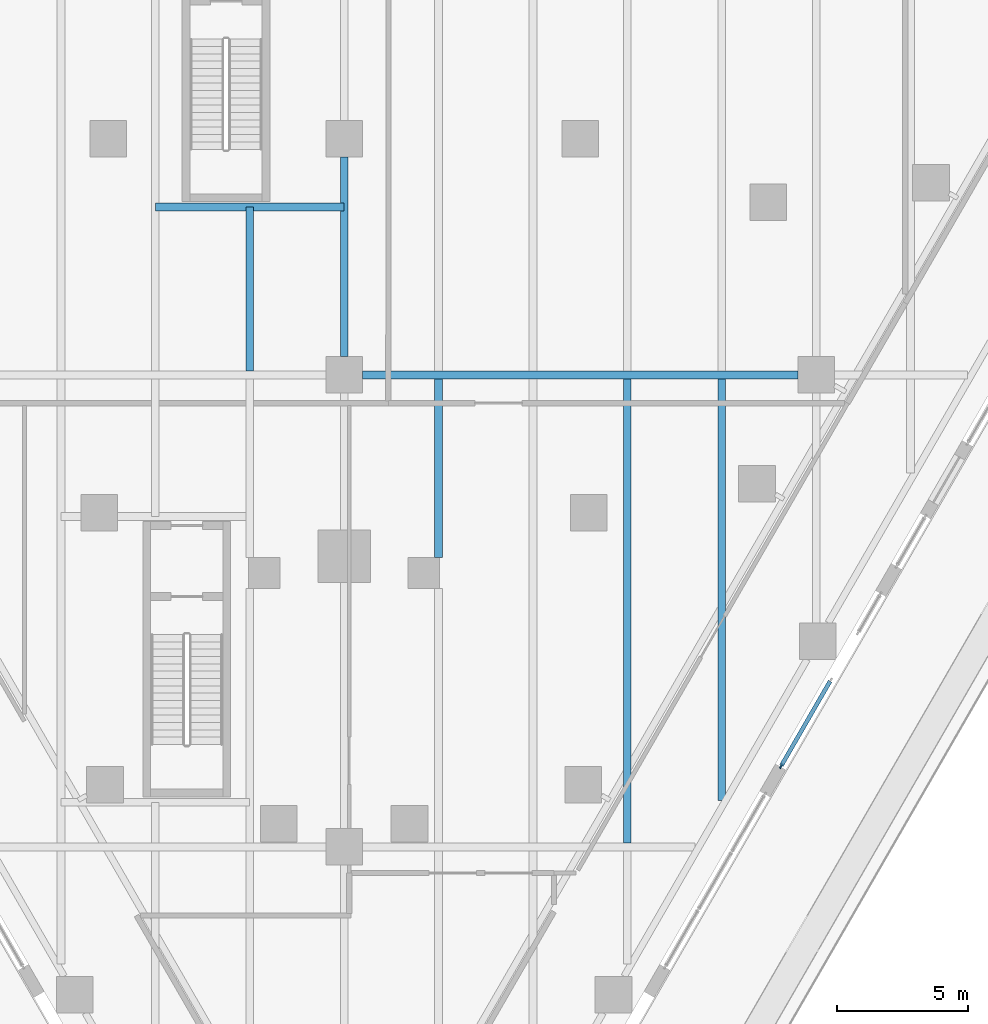
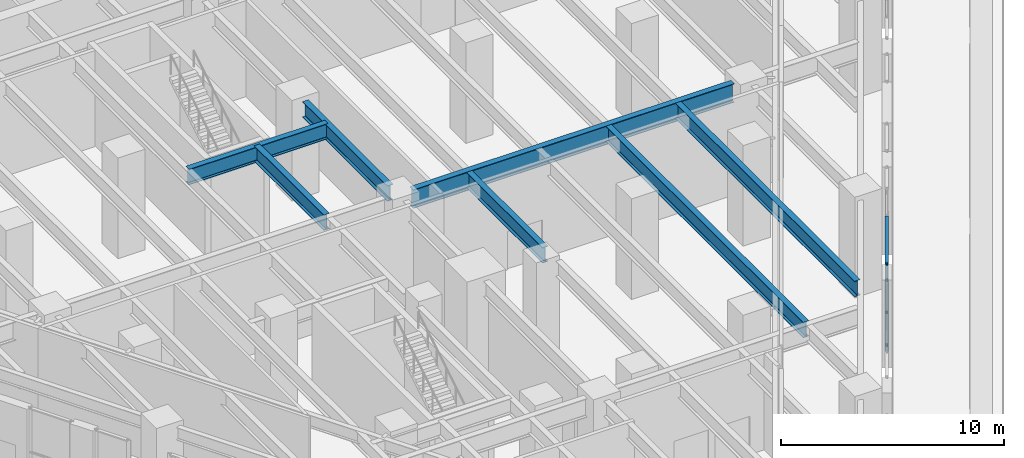
# One storey, part 6 of 30: 7 beams, 4 members, 1 element without a shape of its own.
"""IFC4 building model written with IfcOpenShell, lengths in metres."""

from ifc_helpers import new_model, si_unit, direction, frame, origin, origin_2d, place, context, subcontext, project, spatial, rectangle, i_section, extrude, material, material_profile, profile_set, type_object, element, aggregate, save


model = new_model("IFC4")

# Units and contexts
model_context = context("Model", 3, precision=1e-05, world=origin(), true_north=direction((0.0, 1.0)))
body_context = subcontext(model_context, "Body", "Model", "MODEL_VIEW")
ifc_project = project(units=[si_unit("LENGTHUNIT", "METRE"), si_unit("AREAUNIT", "SQUARE_METRE"), si_unit("VOLUMEUNIT", "CUBIC_METRE"), si_unit("PLANEANGLEUNIT", "RADIAN"), si_unit("MASSUNIT", "GRAM", prefix="KILO")], contexts=[model_context])

# Site, building, storey
site_placement = place(None, origin())
site = spatial("IfcSite", under=ifc_project, at=site_placement, CompositionType="ELEMENT")
building_placement = place(site_placement, origin())
building = spatial("IfcBuilding", under=site, at=building_placement, Name="Aloe Facet Convention Tower", CompositionType="ELEMENT")
storey_placement = place(building_placement, frame((0.0, 0.0, 19.5)))
storey = spatial("IfcBuildingStorey", under=building, at=storey_placement, Name="L03", CompositionType="ELEMENT", Elevation=19.5)

# Curtain wall, members
ifc_material_1 = material(Name="Aluminium, anodised", Category="aluminium")
curtain_wall_type = type_object("IfcCurtainWallType", Name="EV-CW-HALL", PredefinedType="USERDEFINED", material=ifc_material_1)
curtain_wall_placement = place(storey_placement, origin())
curtain_wall = element("IfcCurtainWall", 1, at=curtain_wall_placement, inside=storey, type_object=curtain_wall_type, Name="CW-L03-E08-1", ObjectType="UNITISED HALL GLAZING", PredefinedType="USERDEFINED")
ifc_material_2 = material(Name="Aluminium, anodised", Category="aluminium")
ifc_material_profile_1 = material_profile(ifc_material_2, rectangle(XDim=0.06494140625, YDim=0.199951171875, at=origin_2d()), Name="AL 65x200")
ifc_profile_set_1 = profile_set([ifc_material_profile_1], Name="Aluminium, anodised")
member_type_1 = type_object("IfcMemberType", Name="EV-MULL-HALL", PredefinedType="MULLION", material=ifc_profile_set_1)
member_1_placement = place(storey_placement, frame((96.66162109375, 84.0791015625, -0.25), z_axis=(0.0, 0.0, 1.0), x_axis=(-0.866025403767, 0.50000000003, 0.0)))
member_1 = element("IfcMember", 2, at=member_1_placement, type_object=member_type_1, Name="CW-L03-E08-1 mullion 1", PredefinedType="MULLION", context=body_context, shape_type="SweptSolid", body=[
    extrude(rectangle(XDim=0.06494140625, YDim=0.199951171875, at=origin_2d()), origin(), (0.0, 0.0, 1.0), 4.8125),
])
ifc_material_3 = material(Name="Aluminium, anodised", Category="aluminium")
ifc_material_profile_2 = material_profile(ifc_material_3, rectangle(XDim=0.159912109375, YDim=0.06494140625, at=origin_2d()), Name="AL 160x65")
ifc_profile_set_2 = profile_set([ifc_material_profile_2], Name="Aluminium, anodised")
member_type_2 = type_object("IfcMemberType", Name="EV-TRAN-HALL", PredefinedType="USERDEFINED", material=ifc_profile_set_2)
member_2_placement = place(storey_placement, frame((96.677734375, 84.107421875, -0.217529296875), z_axis=(0.500024932513, 0.866011008513, 0.0), x_axis=(-0.866011008513, 0.500024932513, 0.0)))
member_2 = element("IfcMember", 3, at=member_2_placement, type_object=member_type_2, Name="CW-L03-E08-1 transom 1.1", ObjectType="TRANSOM", PredefinedType="USERDEFINED", context=body_context, shape_type="SweptSolid", body=[
    extrude(rectangle(XDim=0.159912109375, YDim=0.06494140625, at=origin_2d()), origin(), (0.0, 0.0, 1.0), 3.702880859375),
])
member_3_placement = place(storey_placement, frame((96.677734375, 84.107421875, 2.15625), z_axis=(0.500024932513, 0.866011008513, 0.0), x_axis=(-0.866011008513, 0.500024932513, 0.0)))
member_3 = element("IfcMember", 4, at=member_3_placement, type_object=member_type_2, Name="CW-L03-E08-1 transom 1.2", ObjectType="TRANSOM", PredefinedType="USERDEFINED", context=body_context, shape_type="SweptSolid", body=[
    extrude(rectangle(XDim=0.159912109375, YDim=0.06494140625, at=origin_2d()), origin(), (0.0, 0.0, 1.0), 3.702880859375),
])
member_4_placement = place(storey_placement, frame((96.677734375, 84.107421875, 4.530029296875), z_axis=(0.500024932513, 0.866011008513, 0.0), x_axis=(-0.866011008513, 0.500024932513, 0.0)))
member_4 = element("IfcMember", 5, at=member_4_placement, type_object=member_type_2, Name="CW-L03-E08-1 transom 1.3", ObjectType="TRANSOM", PredefinedType="USERDEFINED", context=body_context, shape_type="SweptSolid", body=[
    extrude(rectangle(XDim=0.159912109375, YDim=0.06494140625, at=origin_2d()), origin(), (0.0, 0.0, 1.0), 3.702880859375),
])
aggregate(curtain_wall, [member_1, member_2, member_3, member_4])

# Beams
ifc_material_4 = material(Name="Steel S355", Category="steel")
ifc_material_profile_3 = material_profile(ifc_material_4, i_section(OverallWidth=0.305419921875, OverallDepth=1.02587890625, WebThickness=0.02001953125, FlangeThickness=0.031005859375, FilletRadius=0.030029296875, at=origin_2d()), Name="UB 1016x305x349")
ifc_profile_set_3 = profile_set([ifc_material_profile_3], Name="Steel S355")
beam_type_1 = type_object("IfcBeamType", Name="SF-B-UB1016x305x349", PredefinedType="BEAM", material=ifc_profile_set_3)
beam_1_placement = place(storey_placement, frame((80.699951171875, 99.0, 4.737060546875), z_axis=(1.0, 0.0, 0.0), x_axis=(0.0, 1.0, 0.0)))
element("IfcBeam", 6, at=beam_1_placement, inside=storey, type_object=beam_type_1, Name="Floor beam FB-L04-030", PredefinedType="BEAM", context=body_context, shape_type="SweptSolid", body=[
    extrude(i_section(OverallWidth=0.305419921875, OverallDepth=1.02587890625, WebThickness=0.02001953125, FlangeThickness=0.031005859375, FilletRadius=0.030029296875, at=origin_2d()), origin(), (0.0, 0.0, 1.0), 16.60009765625),
])
ifc_material_5 = material(Name="Steel S355", Category="steel")
ifc_material_profile_4 = material_profile(ifc_material_5, i_section(OverallWidth=0.293701171875, OverallDepth=0.850830078125, WebThickness=0.01611328125, FlangeThickness=0.02685546875, FilletRadius=0.017822265625, at=origin_2d()), Name="UB 838x292x226")
ifc_profile_set_4 = profile_set([ifc_material_profile_4], Name="Steel S355")
beam_type_2 = type_object("IfcBeamType", Name="SF-B-UB838x292x226", PredefinedType="BEAM", material=ifc_profile_set_4)
beam_2_placement = place(storey_placement, frame((72.800048828125, 105.39990234375, 4.824462890625), z_axis=(1.0, 0.0, 0.0), x_axis=(0.0, 1.0, 0.0)))
element("IfcBeam", 7, at=beam_2_placement, inside=storey, type_object=beam_type_2, Name="Floor beam FB-L04-063", PredefinedType="BEAM", context=body_context, shape_type="SweptSolid", body=[
    extrude(i_section(OverallWidth=0.293701171875, OverallDepth=0.850830078125, WebThickness=0.01611328125, FlangeThickness=0.02685546875, FilletRadius=0.017822265625, at=origin_2d()), origin(), (0.0, 0.0, 1.0), 7.199951171875),
])
beam_3_placement = place(storey_placement, frame((76.39990234375, 99.152587890625, 4.824462890625), z_axis=(0.0, 1.0, 0.0), x_axis=(-1.0, 0.0, 0.0)))
element("IfcBeam", 8, at=beam_3_placement, inside=storey, type_object=beam_type_2, Name="Floor beam FB-L04-068", PredefinedType="BEAM", context=body_context, shape_type="SweptSolid", body=[
    extrude(i_section(OverallWidth=0.293701171875, OverallDepth=0.850830078125, WebThickness=0.01611328125, FlangeThickness=0.02685546875, FilletRadius=0.017822265625, at=origin_2d()), origin(), (0.0, 0.0, 1.0), 6.247314453125),
])
beam_4_placement = place(storey_placement, frame((80.0, 99.699951171875, 4.824462890625), z_axis=(0.0, 1.0, 0.0), x_axis=(-1.0, 0.0, 0.0)))
element("IfcBeam", 9, at=beam_4_placement, inside=storey, type_object=beam_type_2, Name="Floor beam FB-L04-072", PredefinedType="BEAM", context=body_context, shape_type="SweptSolid", body=[
    extrude(i_section(OverallWidth=0.293701171875, OverallDepth=0.850830078125, WebThickness=0.01611328125, FlangeThickness=0.02685546875, FilletRadius=0.017822265625, at=origin_2d()), origin(), (0.0, 0.0, 1.0), 7.60009765625),
])
beam_5_placement = place(storey_placement, frame((83.60009765625, 92.04248046875, 4.824462890625), z_axis=(0.0, 1.0, 0.0), x_axis=(-1.0, 0.0, 0.0)))
element("IfcBeam", 10, at=beam_5_placement, inside=storey, type_object=beam_type_2, Name="Floor beam FB-L04-077", PredefinedType="BEAM", context=body_context, shape_type="SweptSolid", body=[
    extrude(i_section(OverallWidth=0.293701171875, OverallDepth=0.850830078125, WebThickness=0.01611328125, FlangeThickness=0.02685546875, FilletRadius=0.017822265625, at=origin_2d()), origin(), (0.0, 0.0, 1.0), 6.804931640625),
])
beam_6_placement = place(storey_placement, frame((90.800048828125, 81.152587890625, 4.824462890625), z_axis=(0.0, 1.0, 0.0), x_axis=(-1.0, 0.0, 0.0)))
element("IfcBeam", 11, at=beam_6_placement, inside=storey, type_object=beam_type_2, Name="Floor beam FB-L04-085", PredefinedType="BEAM", context=body_context, shape_type="SweptSolid", body=[
    extrude(i_section(OverallWidth=0.293701171875, OverallDepth=0.850830078125, WebThickness=0.01611328125, FlangeThickness=0.02685546875, FilletRadius=0.017822265625, at=origin_2d()), origin(), (0.0, 0.0, 1.0), 17.69482421875),
])
beam_7_placement = place(storey_placement, frame((94.39990234375, 82.776611328125, 4.824462890625), z_axis=(0.0, 1.0, 0.0), x_axis=(-1.0, 0.0, 0.0)))
element("IfcBeam", 12, at=beam_7_placement, inside=storey, type_object=beam_type_2, Name="Floor beam FB-L04-088", PredefinedType="BEAM", context=body_context, shape_type="SweptSolid", body=[
    extrude(i_section(OverallWidth=0.293701171875, OverallDepth=0.850830078125, WebThickness=0.01611328125, FlangeThickness=0.02685546875, FilletRadius=0.017822265625, at=origin_2d()), origin(), (0.0, 0.0, 1.0), 16.07080078125),
])

save(model, "model.ifc")
